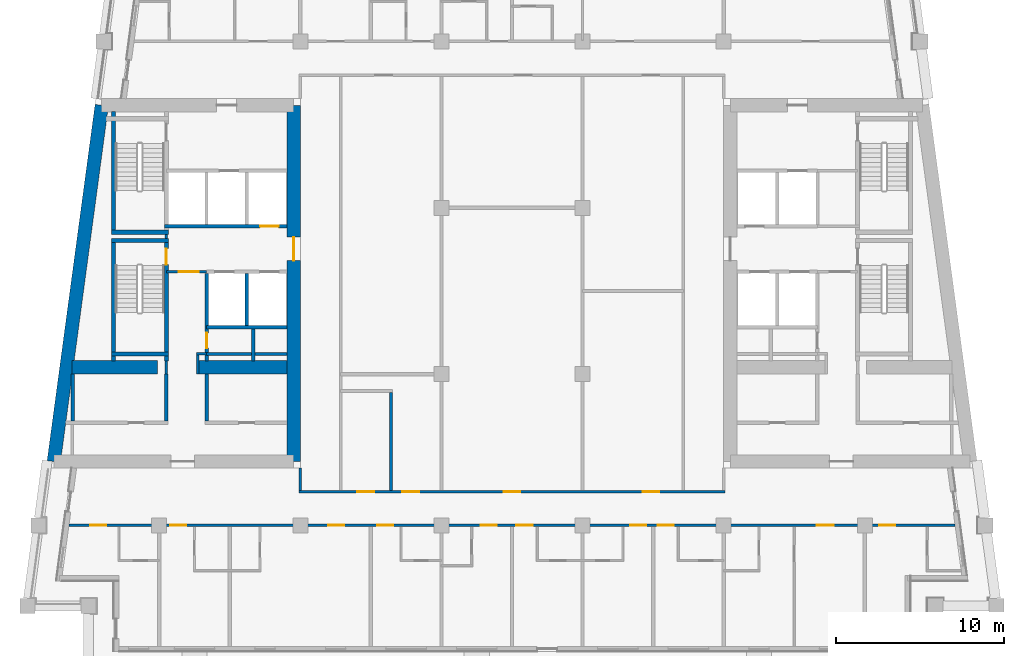
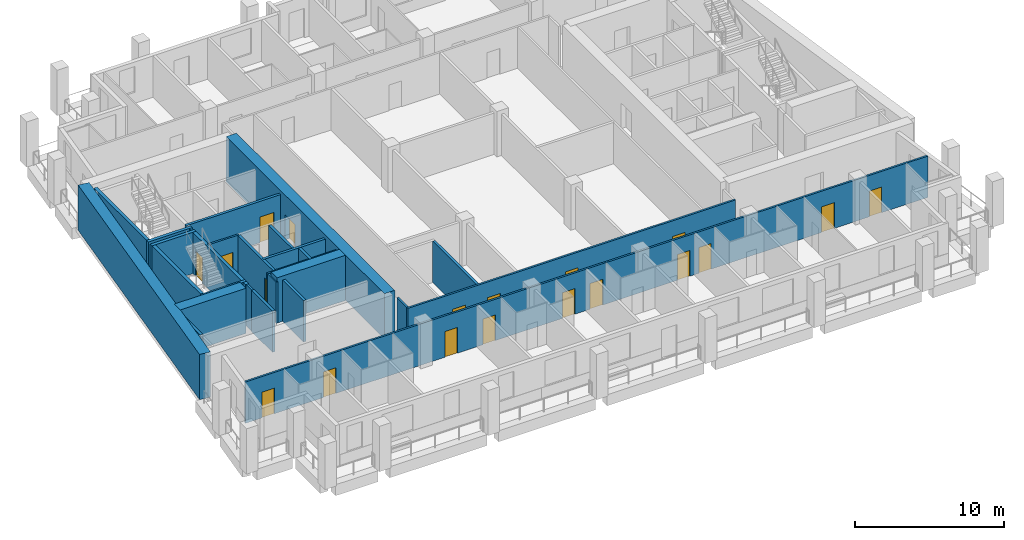
# One storey, part 3 of 12: 28 walls, 19 doors, 19 openings.
"""IFC4 building model written with IfcOpenShell, lengths in metres."""

from ifc_helpers import new_model, si_unit, direction, frame, frame_2d, origin, place, context, subcontext, project, spatial, rectangle, extrude, material, layer, layer_set, type_object, element, fill, save


model = new_model("IFC4")

# Units and contexts
model_context = context("Model", 3, precision=1e-05, world=origin(), true_north=direction((0.0, 1.0)))
body_context = subcontext(model_context, "Body", "Model", "MODEL_VIEW")
ifc_project = project(units=[si_unit("LENGTHUNIT", "METRE"), si_unit("AREAUNIT", "SQUARE_METRE"), si_unit("VOLUMEUNIT", "CUBIC_METRE"), si_unit("PLANEANGLEUNIT", "RADIAN"), si_unit("MASSUNIT", "GRAM", prefix="KILO")], contexts=[model_context])

# Site, building, storey
site_placement = place(None, origin())
site = spatial("IfcSite", under=ifc_project, at=site_placement, CompositionType="ELEMENT")
building_placement = place(site_placement, origin())
building = spatial("IfcBuilding", under=site, at=building_placement, Name="Candeia Pilgrim Tower and Theatre", CompositionType="ELEMENT")
storey_placement = place(building_placement, frame((0.0, 0.0, 209.60009765625)))
storey = spatial("IfcBuildingStorey", under=building, at=storey_placement, Name="L50", CompositionType="ELEMENT", Elevation=209.60009765625)

# Wall, opening, door
ifc_material_1 = material(Name="Concrete C50/60", Category="concrete")
ifc_layer_1 = layer(ifc_material_1, 0.800048828125)
ifc_layer_set_1 = layer_set([ifc_layer_1], Name="Core wall 800 C50/60")
wall_type_1 = type_object("IfcWallType", Name="Core wall 800 C50/60", PredefinedType="SHEAR", material=ifc_layer_set_1)
wall_1_placement = place(storey_placement, frame((100.39990234375, 132.0, 0.0), z_axis=(0.0, 0.0, 1.0), x_axis=(0.0, -1.0, 0.0)))
wall_1 = element("IfcWall", 1, at=wall_1_placement, inside=storey, type_object=wall_type_1, Name="Core wall W2", PredefinedType="SHEAR", context=body_context, shape_type="SweptSolid", body=[
    extrude(rectangle(XDim=21.199951171875, YDim=0.800048828125, at=frame_2d((10.60009765625, 0.0))), origin(), (0.0, 0.0, 1.0), 3.699951171875),
])
opening_1_placement = place(wall_1_placement, frame((7.85009765625, 0.0, 0.0)))
opening_1 = element("IfcOpeningElement", 2, at=opening_1_placement, cuts=wall_1, Name="Opening L50-D055", PredefinedType="OPENING", context=body_context, shape_type="SweptSolid", body=[
    extrude(rectangle(XDim=1.39990234375, YDim=2.10009765625, at=frame_2d((0.699951171875, 1.050048828125))), frame((0.0, 0.41015625, 0.0), z_axis=(0.0, -1.0, 0.0), x_axis=(1.0, 0.0, 0.0)), (0.0, 0.0, 1.0), 0.820068359375),
])
ifc_material_2 = material(Name="Steel fire door set", Category="steel")
door_type_1 = type_object("IfcDoorType", Name="D-1400-FD60", OperationType="NOTDEFINED", PredefinedType="DOOR", material=ifc_material_2)
door_1_placement = place(opening_1_placement, origin())
door_1 = element("IfcDoor", 3, at=door_1_placement, inside=storey, type_object=door_type_1, Name="Door L50-D055", OperationType="SINGLE_SWING_LEFT", OverallHeight=2.10009765625, OverallWidth=1.39990234375, PredefinedType="DOOR", context=body_context, shape_type="SweptSolid", body=[
    extrude(rectangle(XDim=1.39990234375, YDim=2.10009765625, at=frame_2d((0.699951171875, 1.050048828125))), frame((0.0, 0.02490234375, 0.0), z_axis=(0.0, -1.0, 0.0), x_axis=(1.0, 0.0, 0.0)), (0.0, 0.0, 1.0), 0.050048828125),
])
fill(opening_1, door_1)

# Walls
wall_2_placement = place(storey_placement, frame((86.126708984375, 110.800048828125, 0.0), z_axis=(0.0, 0.0, 1.0), x_axis=(0.133408347329, 0.991061154956, 0.0)))
element("IfcWall", 4, at=wall_2_placement, inside=storey, type_object=wall_type_1, Name="Core wall W4", PredefinedType="SHEAR", context=body_context, shape_type="SweptSolid", body=[
    extrude(rectangle(XDim=21.39111328125, YDim=0.800048828125, at=frame_2d((10.695556640625, 0.0))), origin(), (0.0, 0.0, 1.0), 3.699951171875),
])
wall_3_placement = place(storey_placement, frame((87.22314453125, 116.39990234375, 0.0), z_axis=(0.0, 0.0, 1.0), x_axis=(1.0, 0.0, 0.0)))
element("IfcWall", 5, at=wall_3_placement, inside=storey, type_object=wall_type_1, Name="Core wall W5", PredefinedType="SHEAR", context=body_context, shape_type="SweptSolid", body=[
    extrude(rectangle(XDim=5.076904296875, YDim=0.800048828125, at=frame_2d((2.53857421875, 0.0))), origin(), (0.0, 0.0, 1.0), 3.699951171875),
])
wall_4_placement = place(storey_placement, frame((94.699951171875, 116.39990234375, 0.0), z_axis=(0.0, 0.0, 1.0), x_axis=(1.0, 0.0, 0.0)))
element("IfcWall", 6, at=wall_4_placement, inside=storey, type_object=wall_type_1, Name="Core wall W6", PredefinedType="SHEAR", context=body_context, shape_type="SweptSolid", body=[
    extrude(rectangle(XDim=5.300048828125, YDim=0.800048828125, at=frame_2d((2.64990234375, 0.0))), origin(), (0.0, 0.0, 1.0), 3.699951171875),
])
ifc_material_3 = material(Name="Gypsum board partition on steel studs", Category="steel")
ifc_layer_2 = layer(ifc_material_3, 0.14990234375)
ifc_layer_set_2 = layer_set([ifc_layer_2], Name="PW-150 lobby wall")
wall_type_2 = type_object("IfcWallType", Name="PW-150 lobby wall", PredefinedType="PARTITIONING", material=ifc_layer_set_2)
wall_5_placement = place(storey_placement, frame((94.625, 117.199951171875, 0.0), z_axis=(0.0, 0.0, 1.0), x_axis=(1.0, 0.0, 0.0)))
element("IfcWall", 7, at=wall_5_placement, inside=storey, type_object=wall_type_2, Name="Lobby wall L50-019", PredefinedType="PARTITIONING", context=body_context, shape_type="SweptSolid", body=[
    extrude(rectangle(XDim=0.60205078125, YDim=0.14990234375, at=frame_2d((0.301025390625, 0.0))), origin(), (0.0, 0.0, 1.0), 3.3798828125),
])

# Wall, opening, door
wall_6_placement = place(storey_placement, frame((92.826904296875, 122.10009765625, 0.0), z_axis=(0.0, 0.0, 1.0), x_axis=(1.0, 0.0, 0.0)))
wall_6 = element("IfcWall", 8, at=wall_6_placement, inside=storey, type_object=wall_type_2, Name="Lobby wall L50-028", PredefinedType="PARTITIONING", context=body_context, shape_type="SweptSolid", body=[
    extrude(rectangle(XDim=2.400146484375, YDim=0.14990234375, at=frame_2d((1.2001953125, 0.0))), origin(), (0.0, 0.0, 1.0), 3.3798828125),
])
opening_2_placement = place(wall_6_placement, frame((0.72509765625, 0.0, 0.0)))
opening_2 = element("IfcOpeningElement", 9, at=opening_2_placement, cuts=wall_6, Name="Opening L50-D001", PredefinedType="OPENING", context=body_context, shape_type="SweptSolid", body=[
    extrude(rectangle(XDim=1.199951171875, YDim=2.10009765625, at=frame_2d((0.60009765625, 1.050048828125))), frame((0.0, 0.0849609375, 0.0), z_axis=(0.0, -1.0, 0.0), x_axis=(1.0, 0.0, 0.0)), (0.0, 0.0, 1.0), 0.169921875),
])
door_type_2 = type_object("IfcDoorType", Name="D-1200-FD60", OperationType="NOTDEFINED", PredefinedType="DOOR", material=ifc_material_2)
door_2_placement = place(opening_2_placement, origin())
door_2 = element("IfcDoor", 10, at=door_2_placement, inside=storey, type_object=door_type_2, Name="Door L50-D001", OperationType="SINGLE_SWING_LEFT", OverallHeight=2.10009765625, OverallWidth=1.199951171875, PredefinedType="DOOR", context=body_context, shape_type="SweptSolid", body=[
    extrude(rectangle(XDim=1.199951171875, YDim=2.10009765625, at=frame_2d((0.60009765625, 1.050048828125))), frame((0.0, 0.02490234375, 0.0), z_axis=(0.0, -1.0, 0.0), x_axis=(1.0, 0.0, 0.0)), (0.0, 0.0, 1.0), 0.050048828125),
])
fill(opening_2, door_2)

# Walls
wall_7_placement = place(storey_placement, frame((92.826904296875, 116.0, 0.0), z_axis=(0.0, 0.0, 1.0), x_axis=(0.0, 1.0, 0.0)))
element("IfcWall", 11, at=wall_7_placement, inside=storey, type_object=wall_type_2, Name="Lobby wall L50-056", PredefinedType="PARTITIONING", context=body_context, shape_type="SweptSolid", body=[
    extrude(rectangle(XDim=0.77001953125, YDim=0.14990234375, at=frame_2d((0.385009765625, 0.0))), origin(), (0.0, 0.0, 1.0), 3.3798828125),
])
wall_8_placement = place(storey_placement, frame((92.826904296875, 124.074951171875, 0.0), z_axis=(0.0, 0.0, 1.0), x_axis=(0.0, 1.0, 0.0)))
element("IfcWall", 12, at=wall_8_placement, inside=storey, type_object=wall_type_2, Name="Lobby wall L50-057", PredefinedType="PARTITIONING", context=body_context, shape_type="SweptSolid", body=[
    extrude(rectangle(XDim=0.25, YDim=0.14990234375, at=frame_2d((0.125, 0.0))), origin(), (0.0, 0.0, 1.0), 3.3798828125),
])
wall_9_placement = place(storey_placement, frame((94.699951171875, 116.0, 0.0), z_axis=(0.0, 0.0, 1.0), x_axis=(0.0, 1.0, 0.0)))
element("IfcWall", 13, at=wall_9_placement, inside=storey, type_object=wall_type_2, Name="Lobby wall L50-062", PredefinedType="PARTITIONING", context=body_context, shape_type="SweptSolid", body=[
    extrude(rectangle(XDim=1.125, YDim=0.14990234375, at=frame_2d((0.5625, 0.0))), origin(), (0.0, 0.0, 1.0), 3.3798828125),
])

# Wall, openings, doors
ifc_layer_3 = layer(ifc_material_3, 0.14990234375)
ifc_layer_set_3 = layer_set([ifc_layer_3], Name="PW-150 unit wall")
wall_type_3 = type_object("IfcWallType", Name="PW-150 unit wall", PredefinedType="PARTITIONING", material=ifc_layer_set_3)
wall_10_placement = place(storey_placement, frame((87.017578125, 107.0, 0.0), z_axis=(0.0, 0.0, 1.0), x_axis=(1.0, 0.0, 0.0)))
wall_10 = element("IfcWall", 14, at=wall_10_placement, inside=storey, type_object=wall_type_3, Name="Unit wall L50-009", PredefinedType="PARTITIONING", context=body_context, shape_type="SweptSolid", body=[
    extrude(rectangle(XDim=52.7646484375, YDim=0.14990234375, at=frame_2d((26.38232421875, 0.0))), origin(), (0.0, 0.0, 1.0), 3.3798828125),
])
opening_3_placement = place(wall_10_placement, frame((1.2763671875, 0.0, 0.0)))
opening_3 = element("IfcOpeningElement", 15, at=opening_3_placement, cuts=wall_10, Name="Opening L50-D013", PredefinedType="OPENING", context=body_context, shape_type="SweptSolid", body=[
    extrude(rectangle(XDim=0.949951171875, YDim=2.10009765625, at=frame_2d((0.47509765625, 1.050048828125))), frame((0.0, 0.0849609375, 0.0), z_axis=(0.0, -1.0, 0.0), x_axis=(1.0, 0.0, 0.0)), (0.0, 0.0, 1.0), 0.169921875),
])
opening_4_placement = place(wall_10_placement, frame((6.0341796875, 0.0, 0.0)))
opening_4 = element("IfcOpeningElement", 16, at=opening_4_placement, cuts=wall_10, Name="Opening L50-D015", PredefinedType="OPENING", context=body_context, shape_type="SweptSolid", body=[
    extrude(rectangle(XDim=0.949951171875, YDim=2.10009765625, at=frame_2d((0.47509765625, 1.050048828125))), frame((0.0, 0.0849609375, 0.0), z_axis=(0.0, -1.0, 0.0), x_axis=(1.0, 0.0, 0.0)), (0.0, 0.0, 1.0), 0.169921875),
])
opening_5_placement = place(wall_10_placement, frame((15.4453125, 0.0, 0.0)))
opening_5 = element("IfcOpeningElement", 17, at=opening_5_placement, cuts=wall_10, Name="Opening L50-D017", PredefinedType="OPENING", context=body_context, shape_type="SweptSolid", body=[
    extrude(rectangle(XDim=0.949951171875, YDim=2.10009765625, at=frame_2d((0.47509765625, 1.050048828125))), frame((0.0, 0.0849609375, 0.0), z_axis=(0.0, -1.0, 0.0), x_axis=(1.0, 0.0, 0.0)), (0.0, 0.0, 1.0), 0.169921875),
])
opening_6_placement = place(wall_10_placement, frame((18.369384765625, 0.0, 0.0)))
opening_6 = element("IfcOpeningElement", 18, at=opening_6_placement, cuts=wall_10, Name="Opening L50-D019", PredefinedType="OPENING", context=body_context, shape_type="SweptSolid", body=[
    extrude(rectangle(XDim=0.949951171875, YDim=2.10009765625, at=frame_2d((0.47509765625, 1.050048828125))), frame((0.0, 0.0849609375, 0.0), z_axis=(0.0, -1.0, 0.0), x_axis=(1.0, 0.0, 0.0)), (0.0, 0.0, 1.0), 0.169921875),
])
opening_7_placement = place(wall_10_placement, frame((24.519287109375, 0.0, 0.0)))
opening_7 = element("IfcOpeningElement", 19, at=opening_7_placement, cuts=wall_10, Name="Opening L50-D021", PredefinedType="OPENING", context=body_context, shape_type="SweptSolid", body=[
    extrude(rectangle(XDim=0.949951171875, YDim=2.10009765625, at=frame_2d((0.47509765625, 1.050048828125))), frame((0.0, 0.0849609375, 0.0), z_axis=(0.0, -1.0, 0.0), x_axis=(1.0, 0.0, 0.0)), (0.0, 0.0, 1.0), 0.169921875),
])
opening_8_placement = place(wall_10_placement, frame((26.63232421875, 0.0, 0.0)))
opening_8 = element("IfcOpeningElement", 20, at=opening_8_placement, cuts=wall_10, Name="Opening L50-D023", PredefinedType="OPENING", context=body_context, shape_type="SweptSolid", body=[
    extrude(rectangle(XDim=1.0, YDim=2.10009765625, at=frame_2d((0.5, 1.050048828125))), frame((0.0, 0.0849609375, 0.0), z_axis=(0.0, -1.0, 0.0), x_axis=(1.0, 0.0, 0.0)), (0.0, 0.0, 1.0), 0.169921875),
])
opening_9_placement = place(wall_10_placement, frame((33.42236328125, 0.0, 0.0)))
opening_9 = element("IfcOpeningElement", 21, at=opening_9_placement, cuts=wall_10, Name="Opening L50-D025", PredefinedType="OPENING", context=body_context, shape_type="SweptSolid", body=[
    extrude(rectangle(XDim=0.949951171875, YDim=2.10009765625, at=frame_2d((0.47509765625, 1.050048828125))), frame((0.0, 0.0849609375, 0.0), z_axis=(0.0, -1.0, 0.0), x_axis=(1.0, 0.0, 0.0)), (0.0, 0.0, 1.0), 0.169921875),
])
opening_10_placement = place(wall_10_placement, frame((35.057373046875, 0.0, 0.0)))
opening_10 = element("IfcOpeningElement", 22, at=opening_10_placement, cuts=wall_10, Name="Opening L50-D027", PredefinedType="OPENING", context=body_context, shape_type="SweptSolid", body=[
    extrude(rectangle(XDim=0.949951171875, YDim=2.10009765625, at=frame_2d((0.47509765625, 1.050048828125))), frame((0.0, 0.0849609375, 0.0), z_axis=(0.0, -1.0, 0.0), x_axis=(1.0, 0.0, 0.0)), (0.0, 0.0, 1.0), 0.169921875),
])
opening_11_placement = place(wall_10_placement, frame((44.5322265625, 0.0, 0.0)))
opening_11 = element("IfcOpeningElement", 23, at=opening_11_placement, cuts=wall_10, Name="Opening L50-D029", PredefinedType="OPENING", context=body_context, shape_type="SweptSolid", body=[
    extrude(rectangle(XDim=1.0, YDim=2.10009765625, at=frame_2d((0.5, 1.050048828125))), frame((0.0, 0.0849609375, 0.0), z_axis=(0.0, -1.0, 0.0), x_axis=(1.0, 0.0, 0.0)), (0.0, 0.0, 1.0), 0.169921875),
])
opening_12_placement = place(wall_10_placement, frame((48.249267578125, 0.0, 0.0)))
opening_12 = element("IfcOpeningElement", 24, at=opening_12_placement, cuts=wall_10, Name="Opening L50-D032", PredefinedType="OPENING", context=body_context, shape_type="SweptSolid", body=[
    extrude(rectangle(XDim=0.949951171875, YDim=2.10009765625, at=frame_2d((0.47509765625, 1.050048828125))), frame((0.0, 0.0849609375, 0.0), z_axis=(0.0, -1.0, 0.0), x_axis=(1.0, 0.0, 0.0)), (0.0, 0.0, 1.0), 0.169921875),
])
door_type_3 = type_object("IfcDoorType", Name="D-1000-FD30S", OperationType="NOTDEFINED", PredefinedType="DOOR", material=ifc_material_2)
door_3_placement = place(opening_8_placement, origin())
door_3 = element("IfcDoor", 25, at=door_3_placement, inside=storey, type_object=door_type_3, Name="Door L50-D023", OperationType="SINGLE_SWING_LEFT", OverallHeight=2.10009765625, OverallWidth=1.0, PredefinedType="DOOR", context=body_context, shape_type="SweptSolid", body=[
    extrude(rectangle(XDim=1.0, YDim=2.10009765625, at=frame_2d((0.5, 1.050048828125))), frame((0.0, 0.02490234375, 0.0), z_axis=(0.0, -1.0, 0.0), x_axis=(1.0, 0.0, 0.0)), (0.0, 0.0, 1.0), 0.050048828125),
])
fill(opening_8, door_3)
door_4_placement = place(opening_11_placement, origin())
door_4 = element("IfcDoor", 26, at=door_4_placement, inside=storey, type_object=door_type_3, Name="Door L50-D029", OperationType="SINGLE_SWING_LEFT", OverallHeight=2.10009765625, OverallWidth=1.0, PredefinedType="DOOR", context=body_context, shape_type="SweptSolid", body=[
    extrude(rectangle(XDim=1.0, YDim=2.10009765625, at=frame_2d((0.5, 1.050048828125))), frame((0.0, 0.02490234375, 0.0), z_axis=(0.0, -1.0, 0.0), x_axis=(1.0, 0.0, 0.0)), (0.0, 0.0, 1.0), 0.050048828125),
])
fill(opening_11, door_4)
door_type_4 = type_object("IfcDoorType", Name="D-950-FD30S", OperationType="NOTDEFINED", PredefinedType="DOOR", material=ifc_material_2)
door_5_placement = place(opening_3_placement, origin())
door_5 = element("IfcDoor", 27, at=door_5_placement, inside=storey, type_object=door_type_4, Name="Door L50-D013", OperationType="SINGLE_SWING_LEFT", OverallHeight=2.10009765625, OverallWidth=0.949951171875, PredefinedType="DOOR", context=body_context, shape_type="SweptSolid", body=[
    extrude(rectangle(XDim=0.949951171875, YDim=2.10009765625, at=frame_2d((0.47509765625, 1.050048828125))), frame((0.0, 0.02490234375, 0.0), z_axis=(0.0, -1.0, 0.0), x_axis=(1.0, 0.0, 0.0)), (0.0, 0.0, 1.0), 0.050048828125),
])
fill(opening_3, door_5)
door_6_placement = place(opening_4_placement, origin())
door_6 = element("IfcDoor", 28, at=door_6_placement, inside=storey, type_object=door_type_4, Name="Door L50-D015", OperationType="SINGLE_SWING_LEFT", OverallHeight=2.10009765625, OverallWidth=0.949951171875, PredefinedType="DOOR", context=body_context, shape_type="SweptSolid", body=[
    extrude(rectangle(XDim=0.949951171875, YDim=2.10009765625, at=frame_2d((0.47509765625, 1.050048828125))), frame((0.0, 0.02490234375, 0.0), z_axis=(0.0, -1.0, 0.0), x_axis=(1.0, 0.0, 0.0)), (0.0, 0.0, 1.0), 0.050048828125),
])
fill(opening_4, door_6)
door_7_placement = place(opening_5_placement, origin())
door_7 = element("IfcDoor", 29, at=door_7_placement, inside=storey, type_object=door_type_4, Name="Door L50-D017", OperationType="SINGLE_SWING_LEFT", OverallHeight=2.10009765625, OverallWidth=0.949951171875, PredefinedType="DOOR", context=body_context, shape_type="SweptSolid", body=[
    extrude(rectangle(XDim=0.949951171875, YDim=2.10009765625, at=frame_2d((0.47509765625, 1.050048828125))), frame((0.0, 0.02490234375, 0.0), z_axis=(0.0, -1.0, 0.0), x_axis=(1.0, 0.0, 0.0)), (0.0, 0.0, 1.0), 0.050048828125),
])
fill(opening_5, door_7)
door_8_placement = place(opening_6_placement, origin())
door_8 = element("IfcDoor", 30, at=door_8_placement, inside=storey, type_object=door_type_4, Name="Door L50-D019", OperationType="SINGLE_SWING_LEFT", OverallHeight=2.10009765625, OverallWidth=0.949951171875, PredefinedType="DOOR", context=body_context, shape_type="SweptSolid", body=[
    extrude(rectangle(XDim=0.949951171875, YDim=2.10009765625, at=frame_2d((0.47509765625, 1.050048828125))), frame((0.0, 0.02490234375, 0.0), z_axis=(0.0, -1.0, 0.0), x_axis=(1.0, 0.0, 0.0)), (0.0, 0.0, 1.0), 0.050048828125),
])
fill(opening_6, door_8)
door_9_placement = place(opening_7_placement, origin())
door_9 = element("IfcDoor", 31, at=door_9_placement, inside=storey, type_object=door_type_4, Name="Door L50-D021", OperationType="SINGLE_SWING_LEFT", OverallHeight=2.10009765625, OverallWidth=0.949951171875, PredefinedType="DOOR", context=body_context, shape_type="SweptSolid", body=[
    extrude(rectangle(XDim=0.949951171875, YDim=2.10009765625, at=frame_2d((0.47509765625, 1.050048828125))), frame((0.0, 0.02490234375, 0.0), z_axis=(0.0, -1.0, 0.0), x_axis=(1.0, 0.0, 0.0)), (0.0, 0.0, 1.0), 0.050048828125),
])
fill(opening_7, door_9)
door_10_placement = place(opening_9_placement, origin())
door_10 = element("IfcDoor", 32, at=door_10_placement, inside=storey, type_object=door_type_4, Name="Door L50-D025", OperationType="SINGLE_SWING_LEFT", OverallHeight=2.10009765625, OverallWidth=0.949951171875, PredefinedType="DOOR", context=body_context, shape_type="SweptSolid", body=[
    extrude(rectangle(XDim=0.949951171875, YDim=2.10009765625, at=frame_2d((0.47509765625, 1.050048828125))), frame((0.0, 0.02490234375, 0.0), z_axis=(0.0, -1.0, 0.0), x_axis=(1.0, 0.0, 0.0)), (0.0, 0.0, 1.0), 0.050048828125),
])
fill(opening_9, door_10)
door_11_placement = place(opening_10_placement, origin())
door_11 = element("IfcDoor", 33, at=door_11_placement, inside=storey, type_object=door_type_4, Name="Door L50-D027", OperationType="SINGLE_SWING_LEFT", OverallHeight=2.10009765625, OverallWidth=0.949951171875, PredefinedType="DOOR", context=body_context, shape_type="SweptSolid", body=[
    extrude(rectangle(XDim=0.949951171875, YDim=2.10009765625, at=frame_2d((0.47509765625, 1.050048828125))), frame((0.0, 0.02490234375, 0.0), z_axis=(0.0, -1.0, 0.0), x_axis=(1.0, 0.0, 0.0)), (0.0, 0.0, 1.0), 0.050048828125),
])
fill(opening_10, door_11)
door_12_placement = place(opening_12_placement, origin())
door_12 = element("IfcDoor", 34, at=door_12_placement, inside=storey, type_object=door_type_4, Name="Door L50-D032", OperationType="SINGLE_SWING_RIGHT", OverallHeight=2.10009765625, OverallWidth=0.949951171875, PredefinedType="DOOR", context=body_context, shape_type="SweptSolid", body=[
    extrude(rectangle(XDim=0.949951171875, YDim=2.10009765625, at=frame_2d((0.47509765625, 1.050048828125))), frame((0.0, 0.02490234375, 0.0), z_axis=(0.0, -1.0, 0.0), x_axis=(1.0, 0.0, 0.0)), (0.0, 0.0, 1.0), 0.050048828125),
])
fill(opening_12, door_12)

wall_11_placement = place(storey_placement, frame((100.72509765625, 109.0, 0.0), z_axis=(0.0, 0.0, 1.0), x_axis=(1.0, 0.0, 0.0)))
wall_11 = element("IfcWall", 35, at=wall_11_placement, inside=storey, type_object=wall_type_3, Name="Unit wall L50-010", PredefinedType="PARTITIONING", context=body_context, shape_type="SweptSolid", body=[
    extrude(rectangle(XDim=25.349853515625, YDim=0.14990234375, at=frame_2d((12.6748046875, 0.0))), origin(), (0.0, 0.0, 1.0), 3.3798828125),
])
opening_13_placement = place(wall_11_placement, frame((6.14990234375, 0.0, 0.0)))
opening_13 = element("IfcOpeningElement", 36, at=opening_13_placement, cuts=wall_11, Name="Opening L50-D046", PredefinedType="OPENING", context=body_context, shape_type="SweptSolid", body=[
    extrude(rectangle(XDim=1.0, YDim=2.10009765625, at=frame_2d((0.5, 1.050048828125))), frame((0.0, 0.0849609375, 0.0), z_axis=(0.0, -1.0, 0.0), x_axis=(1.0, 0.0, 0.0)), (0.0, 0.0, 1.0), 0.169921875),
])
opening_14_placement = place(wall_11_placement, frame((3.47509765625, 0.0, 0.0)))
opening_14 = element("IfcOpeningElement", 37, at=opening_14_placement, cuts=wall_11, Name="Opening L50-D047", PredefinedType="OPENING", context=body_context, shape_type="SweptSolid", body=[
    extrude(rectangle(XDim=1.0, YDim=2.10009765625, at=frame_2d((0.5, 1.050048828125))), frame((0.0, 0.0849609375, 0.0), z_axis=(0.0, -1.0, 0.0), x_axis=(1.0, 0.0, 0.0)), (0.0, 0.0, 1.0), 0.169921875),
])
opening_15_placement = place(wall_11_placement, frame((12.175048828125, 0.0, 0.0)))
opening_15 = element("IfcOpeningElement", 38, at=opening_15_placement, cuts=wall_11, Name="Opening L50-D049", PredefinedType="OPENING", context=body_context, shape_type="SweptSolid", body=[
    extrude(rectangle(XDim=1.0, YDim=2.10009765625, at=frame_2d((0.5, 1.050048828125))), frame((0.0, 0.0849609375, 0.0), z_axis=(0.0, -1.0, 0.0), x_axis=(1.0, 0.0, 0.0)), (0.0, 0.0, 1.0), 0.169921875),
])
opening_16_placement = place(wall_11_placement, frame((20.449951171875, 0.0, 0.0)))
opening_16 = element("IfcOpeningElement", 39, at=opening_16_placement, cuts=wall_11, Name="Opening L50-D051", PredefinedType="OPENING", context=body_context, shape_type="SweptSolid", body=[
    extrude(rectangle(XDim=1.0, YDim=2.10009765625, at=frame_2d((0.5, 1.050048828125))), frame((0.0, 0.0849609375, 0.0), z_axis=(0.0, -1.0, 0.0), x_axis=(1.0, 0.0, 0.0)), (0.0, 0.0, 1.0), 0.169921875),
])
door_13_placement = place(opening_13_placement, origin())
door_13 = element("IfcDoor", 40, at=door_13_placement, inside=storey, type_object=door_type_3, Name="Door L50-D046", OperationType="SINGLE_SWING_RIGHT", OverallHeight=2.10009765625, OverallWidth=1.0, PredefinedType="DOOR", context=body_context, shape_type="SweptSolid", body=[
    extrude(rectangle(XDim=1.0, YDim=2.10009765625, at=frame_2d((0.5, 1.050048828125))), frame((0.0, 0.02490234375, 0.0), z_axis=(0.0, -1.0, 0.0), x_axis=(1.0, 0.0, 0.0)), (0.0, 0.0, 1.0), 0.050048828125),
])
fill(opening_13, door_13)
door_14_placement = place(opening_14_placement, origin())
door_14 = element("IfcDoor", 41, at=door_14_placement, inside=storey, type_object=door_type_3, Name="Door L50-D047", OperationType="SINGLE_SWING_LEFT", OverallHeight=2.10009765625, OverallWidth=1.0, PredefinedType="DOOR", context=body_context, shape_type="SweptSolid", body=[
    extrude(rectangle(XDim=1.0, YDim=2.10009765625, at=frame_2d((0.5, 1.050048828125))), frame((0.0, 0.02490234375, 0.0), z_axis=(0.0, -1.0, 0.0), x_axis=(1.0, 0.0, 0.0)), (0.0, 0.0, 1.0), 0.050048828125),
])
fill(opening_14, door_14)
door_15_placement = place(opening_15_placement, origin())
door_15 = element("IfcDoor", 42, at=door_15_placement, inside=storey, type_object=door_type_3, Name="Door L50-D049", OperationType="SINGLE_SWING_LEFT", OverallHeight=2.10009765625, OverallWidth=1.0, PredefinedType="DOOR", context=body_context, shape_type="SweptSolid", body=[
    extrude(rectangle(XDim=1.0, YDim=2.10009765625, at=frame_2d((0.5, 1.050048828125))), frame((0.0, 0.02490234375, 0.0), z_axis=(0.0, -1.0, 0.0), x_axis=(1.0, 0.0, 0.0)), (0.0, 0.0, 1.0), 0.050048828125),
])
fill(opening_15, door_15)
door_16_placement = place(opening_16_placement, origin())
door_16 = element("IfcDoor", 43, at=door_16_placement, inside=storey, type_object=door_type_3, Name="Door L50-D051", OperationType="SINGLE_SWING_LEFT", OverallHeight=2.10009765625, OverallWidth=1.0, PredefinedType="DOOR", context=body_context, shape_type="SweptSolid", body=[
    extrude(rectangle(XDim=1.0, YDim=2.10009765625, at=frame_2d((0.5, 1.050048828125))), frame((0.0, 0.02490234375, 0.0), z_axis=(0.0, -1.0, 0.0), x_axis=(1.0, 0.0, 0.0)), (0.0, 0.0, 1.0), 0.050048828125),
])
fill(opening_16, door_16)

# Walls
wall_12_placement = place(storey_placement, frame((100.800048828125, 109.074951171875, 0.0), z_axis=(0.0, 0.0, 1.0), x_axis=(0.0, 1.0, 0.0)))
element("IfcWall", 44, at=wall_12_placement, inside=storey, type_object=wall_type_3, Name="Unit wall L50-073", PredefinedType="PARTITIONING", context=body_context, shape_type="SweptSolid", body=[
    extrude(rectangle(XDim=1.324951171875, YDim=0.14990234375, at=frame_2d((0.66259765625, 0.0))), origin(), (0.0, 0.0, 1.0), 3.3798828125),
])
ifc_layer_4 = layer(ifc_material_3, 0.199951171875)
ifc_layer_set_4 = layer_set([ifc_layer_4], Name="PW-200 party wall")
wall_type_4 = type_object("IfcWallType", Name="PW-200 party wall", PredefinedType="PARTITIONING", material=ifc_layer_set_4)
wall_13_placement = place(storey_placement, frame((106.199951171875, 109.074951171875, 0.0), z_axis=(0.0, 0.0, 1.0), x_axis=(0.0, 1.0, 0.0)))
element("IfcWall", 45, at=wall_13_placement, inside=storey, type_object=wall_type_4, Name="Party wall L50-078", PredefinedType="PARTITIONING", context=body_context, shape_type="SweptSolid", body=[
    extrude(rectangle(XDim=5.824951171875, YDim=0.199951171875, at=frame_2d((2.91259765625, 0.0))), origin(), (0.0, 0.0, 1.0), 3.3798828125),
])
ifc_material_4 = material(Name="Concrete C40/50", Category="concrete")
ifc_layer_5 = layer(ifc_material_4, 0.199951171875)
ifc_layer_set_5 = layer_set([ifc_layer_5], Name="SW-200 shaft wall")
wall_type_5 = type_object("IfcWallType", Name="SW-200 shaft wall", PredefinedType="PARTITIONING", material=ifc_layer_set_5)
for number, where, z_axis, x_axis, name in (
    (46, (95.22705078125, 117.199951171875, 0.0), (0.0, 0.0, 1.0), (1.0, 0.0, 0.0), "Shaft wall L50-017"),
    (47, (95.22705078125, 118.800048828125, 0.0), (0.0, 0.0, 1.0), (1.0, 0.0, 0.0), "Shaft wall L50-023"),
):
    element("IfcWall", number, at=place(storey_placement, frame(where, z_axis=z_axis, x_axis=x_axis)), inside=storey, type_object=wall_type_5, Name=name, PredefinedType="PARTITIONING", context=body_context, shape_type="SweptSolid", body=[
        extrude(rectangle(XDim=4.77294921875, YDim=0.199951171875, at=frame_2d((2.386474609375, 0.0))), origin(), (0.0, 0.0, 1.0), 3.3798828125),
    ])

# Wall, opening, door
wall_14_placement = place(storey_placement, frame((92.701904296875, 124.800048828125, 0.0), z_axis=(0.0, 0.0, 1.0), x_axis=(1.0, 0.0, 0.0)))
wall_14 = element("IfcWall", 48, at=wall_14_placement, inside=storey, type_object=wall_type_5, Name="Shaft wall L50-034", PredefinedType="PARTITIONING", context=body_context, shape_type="SweptSolid", body=[
    extrude(rectangle(XDim=7.298095703125, YDim=0.199951171875, at=frame_2d((3.64892578125, 0.0))), origin(), (0.0, 0.0, 1.0), 3.3798828125),
])
opening_17_placement = place(wall_14_placement, frame((5.699951171875, 0.0, 0.0)))
opening_17 = element("IfcOpeningElement", 49, at=opening_17_placement, cuts=wall_14, Name="Opening L50-LD04", PredefinedType="OPENING", context=body_context, shape_type="SweptSolid", body=[
    extrude(rectangle(XDim=1.10009765625, YDim=2.10009765625, at=frame_2d((0.550048828125, 1.050048828125))), frame((0.0, 0.10986328125, 0.0), z_axis=(0.0, -1.0, 0.0), x_axis=(1.0, 0.0, 0.0)), (0.0, 0.0, 1.0), 0.219970703125),
])
ifc_material_5 = material(Name="Glazed aluminium landing door", Category="aluminium")
door_type_5 = type_object("IfcDoorType", Name="LD-1100-EI120", OperationType="SLIDING_TO_LEFT", PredefinedType="DOOR", material=ifc_material_5)
door_17_placement = place(opening_17_placement, origin())
door_17 = element("IfcDoor", 50, at=door_17_placement, inside=storey, type_object=door_type_5, Name="Landing door 04 L50", OperationType="SLIDING_TO_LEFT", OverallHeight=2.10009765625, OverallWidth=1.10009765625, PredefinedType="DOOR", context=body_context, shape_type="SweptSolid", body=[
    extrude(rectangle(XDim=1.10009765625, YDim=2.10009765625, at=frame_2d((0.550048828125, 1.050048828125))), frame((0.0, 0.02490234375, 0.0), z_axis=(0.0, -1.0, 0.0), x_axis=(1.0, 0.0, 0.0)), (0.0, 0.0, 1.0), 0.050048828125),
])
fill(opening_17, door_17)

# Walls
for number, where, z_axis, x_axis, name in (
    (51, (87.24951171875, 113.199951171875, 0.0), (0.0, 0.0, 1.0), (0.0, 1.0, 0.0), "Shaft wall L50-049"),
    (52, (92.826904296875, 113.199951171875, 0.0), (0.0, 0.0, 1.0), (0.0, 1.0, 0.0), "Shaft wall L50-055"),
    (53, (95.22705078125, 113.199951171875, 0.0), (0.0, 0.0, 1.0), (0.0, 1.0, 0.0), "Shaft wall L50-064"),
):
    element("IfcWall", number, at=place(storey_placement, frame(where, z_axis=z_axis, x_axis=x_axis)), inside=storey, type_object=wall_type_5, Name=name, PredefinedType="PARTITIONING", context=body_context, shape_type="SweptSolid", body=[
        extrude(rectangle(XDim=2.800048828125, YDim=0.199951171875, at=frame_2d((1.39990234375, 0.0))), origin(), (0.0, 0.0, 1.0), 3.3798828125),
    ])

# Wall, opening, door
wall_15_placement = place(storey_placement, frame((95.22705078125, 116.77001953125, 0.0), z_axis=(0.0, 0.0, 1.0), x_axis=(0.0, 1.0, 0.0)))
wall_15 = element("IfcWall", 54, at=wall_15_placement, inside=storey, type_object=wall_type_5, Name="Shaft wall L50-065", PredefinedType="PARTITIONING", context=body_context, shape_type="SweptSolid", body=[
    extrude(rectangle(XDim=5.22998046875, YDim=0.199951171875, at=frame_2d((2.614990234375, 0.0))), origin(), (0.0, 0.0, 1.0), 3.3798828125),
])
opening_18_placement = place(wall_15_placement, frame((0.780029296875, 0.0, 0.0)))
opening_18 = element("IfcOpeningElement", 55, at=opening_18_placement, cuts=wall_15, Name="Opening L50-D004", PredefinedType="OPENING", context=body_context, shape_type="SweptSolid", body=[
    extrude(rectangle(XDim=0.89990234375, YDim=2.10009765625, at=frame_2d((0.449951171875, 1.050048828125))), frame((0.0, 0.10986328125, 0.0), z_axis=(0.0, -1.0, 0.0), x_axis=(1.0, 0.0, 0.0)), (0.0, 0.0, 1.0), 0.219970703125),
])
door_type_6 = type_object("IfcDoorType", Name="D-900-FD60", OperationType="NOTDEFINED", PredefinedType="DOOR", material=ifc_material_2)
door_18_placement = place(opening_18_placement, origin())
door_18 = element("IfcDoor", 56, at=door_18_placement, inside=storey, type_object=door_type_6, Name="Door L50-D004", OperationType="SINGLE_SWING_RIGHT", OverallHeight=2.10009765625, OverallWidth=0.89990234375, PredefinedType="DOOR", context=body_context, shape_type="SweptSolid", body=[
    extrude(rectangle(XDim=0.89990234375, YDim=2.10009765625, at=frame_2d((0.449951171875, 1.050048828125))), frame((0.0, 0.02490234375, 0.0), z_axis=(0.0, -1.0, 0.0), x_axis=(1.0, 0.0, 0.0)), (0.0, 0.0, 1.0), 0.050048828125),
])
fill(opening_18, door_18)

# Walls
wall_16_placement = place(storey_placement, frame((97.613525390625, 118.89990234375, 0.0), z_axis=(0.0, 0.0, 1.0), x_axis=(0.0, 1.0, 0.0)))
element("IfcWall", 57, at=wall_16_placement, inside=storey, type_object=wall_type_5, Name="Shaft wall L50-069", PredefinedType="PARTITIONING", context=body_context, shape_type="SweptSolid", body=[
    extrude(rectangle(XDim=3.10009765625, YDim=0.199951171875, at=frame_2d((1.550048828125, 0.0))), origin(), (0.0, 0.0, 1.0), 3.3798828125),
])
wall_17_placement = place(storey_placement, frame((98.0, 116.77001953125, 0.0), z_axis=(0.0, 0.0, 1.0), x_axis=(0.0, 1.0, 0.0)))
element("IfcWall", 58, at=wall_17_placement, inside=storey, type_object=wall_type_5, Name="Shaft wall L50-070", PredefinedType="PARTITIONING", context=body_context, shape_type="SweptSolid", body=[
    extrude(rectangle(XDim=1.929931640625, YDim=0.199951171875, at=frame_2d((0.96484375, 0.0))), origin(), (0.0, 0.0, 1.0), 3.3798828125),
])
ifc_layer_6 = layer(ifc_material_4, 0.25)
ifc_layer_set_6 = layer_set([ifc_layer_6], Name="SW-250 stair wall")
wall_type_6 = type_object("IfcWallType", Name="SW-250 stair wall", PredefinedType="PARTITIONING", material=ifc_layer_set_6)
for number, where, z_axis, x_axis, name in (
    (59, (89.552001953125, 117.199951171875, 0.0), (0.0, 0.0, 1.0), (1.0, 0.0, 0.0), "Stair wall L50-021"),
    (60, (89.552001953125, 123.949951171875, 0.0), (0.0, 0.0, 1.0), (1.0, 0.0, 0.0), "Stair wall L50-030"),
    (61, (89.552001953125, 124.449951171875, 0.0), (0.0, 0.0, 1.0), (1.0, 0.0, 0.0), "Stair wall L50-032"),
):
    element("IfcWall", number, at=place(storey_placement, frame(where, z_axis=z_axis, x_axis=x_axis)), inside=storey, type_object=wall_type_6, Name=name, PredefinedType="PARTITIONING", context=body_context, shape_type="SweptSolid", body=[
        extrude(rectangle(XDim=3.39990234375, YDim=0.25, at=frame_2d((1.699951171875, 0.0))), origin(), (0.0, 0.0, 1.0), 3.3798828125),
    ])
for number, where, z_axis, x_axis, name in (
    (62, (89.677001953125, 116.77001953125, 0.0), (0.0, 0.0, 1.0), (0.0, 1.0, 0.0), "Stair wall L50-051"),
    (63, (89.677001953125, 124.574951171875, 0.0), (0.0, 0.0, 1.0), (0.0, 1.0, 0.0), "Stair wall L50-052"),
):
    element("IfcWall", number, at=place(storey_placement, frame(where, z_axis=z_axis, x_axis=x_axis)), inside=storey, type_object=wall_type_6, Name=name, PredefinedType="PARTITIONING", context=body_context, shape_type="SweptSolid", body=[
        extrude(rectangle(XDim=7.054931640625, YDim=0.25, at=frame_2d((3.52734375, 0.0))), origin(), (0.0, 0.0, 1.0), 3.3798828125),
    ])

# Wall, opening, door
wall_18_placement = place(storey_placement, frame((92.826904296875, 116.77001953125, 0.0), z_axis=(0.0, 0.0, 1.0), x_axis=(0.0, 1.0, 0.0)))
wall_18 = element("IfcWall", 64, at=wall_18_placement, inside=storey, type_object=wall_type_6, Name="Stair wall L50-058", PredefinedType="PARTITIONING", context=body_context, shape_type="SweptSolid", body=[
    extrude(rectangle(XDim=7.054931640625, YDim=0.25, at=frame_2d((3.52734375, 0.0))), origin(), (0.0, 0.0, 1.0), 3.3798828125),
])
opening_19_placement = place(wall_18_placement, frame((5.7548828125, 0.0, 0.0)))
opening_19 = element("IfcOpeningElement", 65, at=opening_19_placement, cuts=wall_18, Name="Opening L50-D002", PredefinedType="OPENING", context=body_context, shape_type="SweptSolid", body=[
    extrude(rectangle(XDim=0.949951171875, YDim=2.10009765625, at=frame_2d((0.47509765625, 1.050048828125))), frame((0.0, 0.135009765625, 0.0), z_axis=(0.0, -1.0, 0.0), x_axis=(1.0, 0.0, 0.0)), (0.0, 0.0, 1.0), 0.27001953125),
])
door_type_7 = type_object("IfcDoorType", Name="D-950-FD60", OperationType="NOTDEFINED", PredefinedType="DOOR", material=ifc_material_2)
door_19_placement = place(opening_19_placement, origin())
door_19 = element("IfcDoor", 66, at=door_19_placement, inside=storey, type_object=door_type_7, Name="Door L50-D002", OperationType="SINGLE_SWING_RIGHT", OverallHeight=2.10009765625, OverallWidth=0.949951171875, PredefinedType="DOOR", context=body_context, shape_type="SweptSolid", body=[
    extrude(rectangle(XDim=0.949951171875, YDim=2.10009765625, at=frame_2d((0.47509765625, 1.050048828125))), frame((0.0, 0.02490234375, 0.0), z_axis=(0.0, -1.0, 0.0), x_axis=(1.0, 0.0, 0.0)), (0.0, 0.0, 1.0), 0.050048828125),
])
fill(opening_19, door_19)

save(model, "model.ifc")
